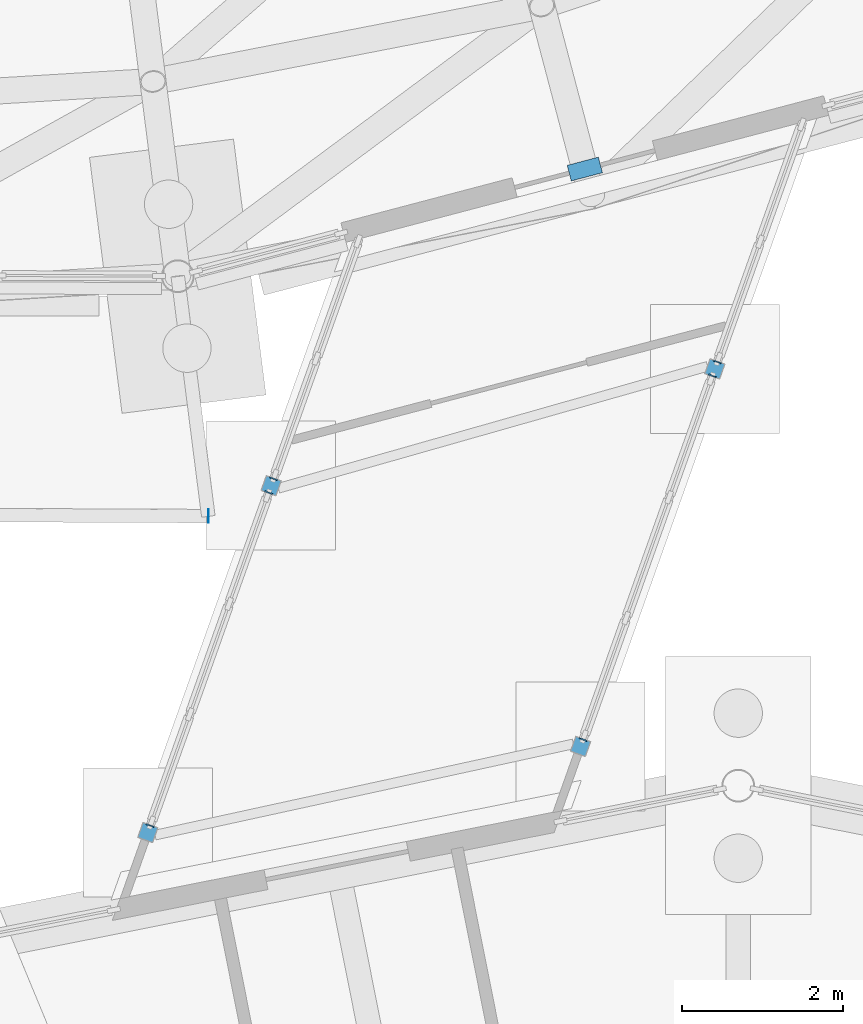
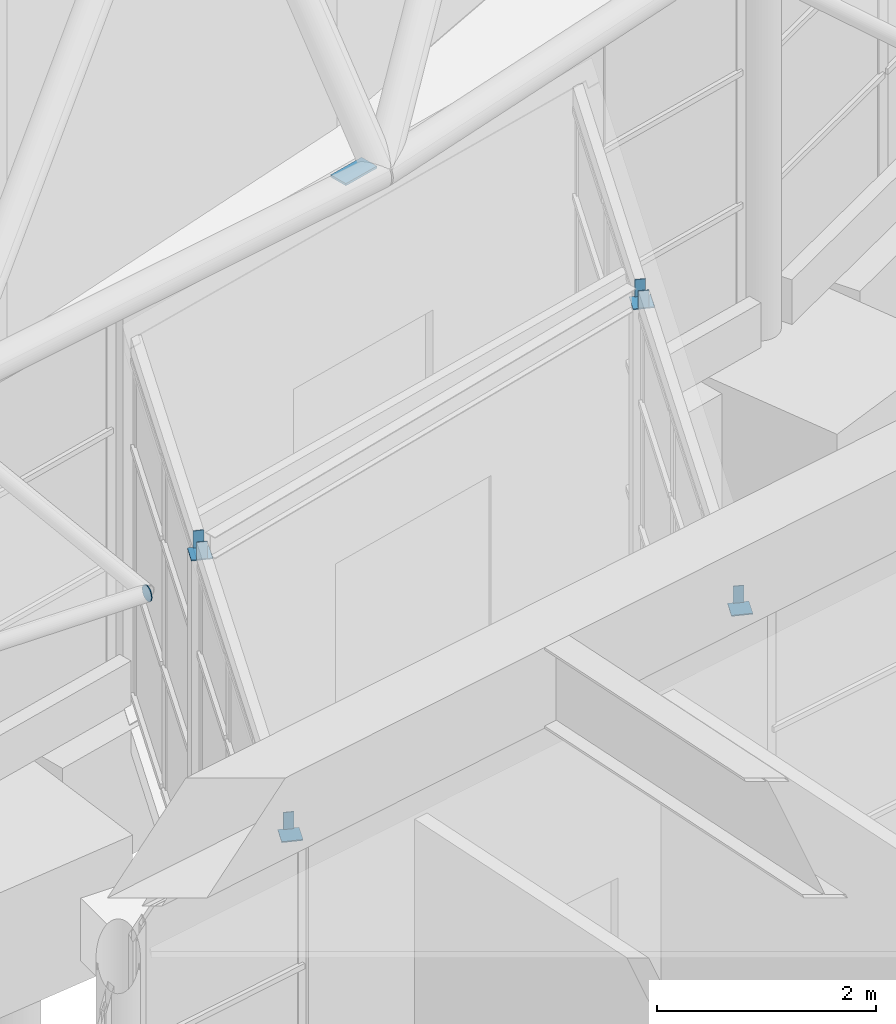
# One storey, part 209 of 226: 12 discrete accessories.
"""IFC4 building model written with IfcOpenShell, lengths in metres."""

from ifc_helpers import new_model, si_unit, direction, frame, origin, origin_2d, place, context, subcontext, project, spatial, rectangle, circle, extrude, material, layer, layer_set, material_profile, profile_set, type_object, element, save


model = new_model("IFC4")

# Units and contexts
model_context = context("Model", 3, precision=1e-05, world=origin(), true_north=direction((0.0, 1.0)))
body_context = subcontext(model_context, "Body", "Model", "MODEL_VIEW")
ifc_project = project(units=[si_unit("LENGTHUNIT", "METRE"), si_unit("AREAUNIT", "SQUARE_METRE"), si_unit("VOLUMEUNIT", "CUBIC_METRE"), si_unit("PLANEANGLEUNIT", "RADIAN"), si_unit("MASSUNIT", "GRAM", prefix="KILO")], contexts=[model_context])

# Site, building, storey
site_placement = place(None, origin())
site = spatial("IfcSite", under=ifc_project, at=site_placement, CompositionType="ELEMENT")
building_placement = place(site_placement, origin())
building = spatial("IfcBuilding", under=site, at=building_placement, Name="Ceibo Conservatory and Research Tower", CompositionType="ELEMENT")
storey_placement = place(building_placement, origin())
storey = spatial("IfcBuildingStorey", under=building, at=storey_placement, Name="L00", CompositionType="ELEMENT", Elevation=0.0)

# Discrete accessories
ifc_material = material(Name="Steel S355J2", Category="steel")
ifc_layer = layer(ifc_material, 0.02490234375)
ifc_layer_set = layer_set([ifc_layer], Name="Steel S355J2")
discrete_accessory_type_1 = type_object("IfcDiscreteAccessoryType", Name="Cast-in plate PL 400x200x25", PredefinedType="ANCHORPLATE", material=ifc_layer_set)
discrete_accessory_1_placement = place(storey_placement, frame((166.096923828125, 69.649169921875, 4.31298828125), z_axis=(0.0, 0.0, 1.0), x_axis=(0.96704593447, 0.254601965084, 0.0)))
element("IfcDiscreteAccessory", 1, at=discrete_accessory_1_placement, inside=storey, type_object=discrete_accessory_type_1, Name="Cast-in plate A-D01-38 in Drum door stub wall A-W19", PredefinedType="ANCHORPLATE", context=body_context, shape_type="SweptSolid", body=[
    extrude(rectangle(XDim=0.39990234375, YDim=0.199951171875, at=origin_2d()), origin(), (0.0, 0.0, 1.0), 0.02490234375),
])
ifc_material_profile_1 = material_profile(ifc_material, rectangle(XDim=0.10009765625, YDim=0.199951171875, at=origin_2d()), Name="End plate PL 200x100x8")
ifc_profile_set_1 = profile_set([ifc_material_profile_1], Name="Steel S355J2")
discrete_accessory_type_2 = type_object("IfcDiscreteAccessoryType", Name="End plate PL 200x100x8", PredefinedType="USERDEFINED", material=ifc_profile_set_1)
for number, where, z_axis, x_axis, name in (
    (2, (167.7421875, 67.261474609375, 3.89990234375), (-0.337864753607, -0.941194670762, 0.0), (0.941194670762, -0.337864753607, 0.0), "Gallery edge beam A-VC-EBN01 end plate"),
    (3, (167.680419921875, 67.088134765625, 3.89990234375), (-0.337864753607, -0.941194670762, 0.0), (0.941194670762, -0.337864753607, 0.0), "Gallery edge beam A-VC-EBN02 end plate"),
):
    element("IfcDiscreteAccessory", number, at=place(storey_placement, frame(where, z_axis=z_axis, x_axis=x_axis)), inside=storey, type_object=discrete_accessory_type_2, Name=name, ObjectType="End plate", PredefinedType="USERDEFINED", context=body_context, shape_type="SweptSolid", body=[
        extrude(rectangle(XDim=0.10009765625, YDim=0.199951171875, at=origin_2d()), origin(), (0.0, 0.0, 1.0), 0.010009765625),
    ])
discrete_accessory_2_placement = place(storey_placement, frame((166.07666015625, 62.577880859375, 3.89990234375), z_axis=(-0.345705358827, -0.938343116817, 0.0), x_axis=(0.938343116817, -0.345705358827, 0.0)))
element("IfcDiscreteAccessory", 4, at=discrete_accessory_2_placement, inside=storey, type_object=discrete_accessory_type_2, Name="Gallery edge beam A-VC-EBN02 end plate", ObjectType="End plate", PredefinedType="USERDEFINED", context=body_context, shape_type="SweptSolid", body=[
    extrude(rectangle(XDim=0.10009765625, YDim=0.199951171875, at=origin_2d()), origin(), (0.0, 0.0, 1.0), 0.009765625),
])
for number, where, z_axis, x_axis, name in (
    (5, (162.238525390625, 65.8125, 3.89990234375), (-0.337864753607, -0.941194670762, 0.0), (0.941194670762, -0.337864753607, 0.0), "Gallery edge beam A-VC-EBS01 end plate"),
    (6, (162.177001953125, 65.63916015625, 3.89990234375), (-0.337864753607, -0.941194670762, 0.0), (0.941194670762, -0.337864753607, 0.0), "Gallery edge beam A-VC-EBS02 end plate"),
    (7, (160.708740234375, 61.51025390625, 3.89990234375), (-0.337864753607, -0.941194670762, 0.0), (0.941194670762, -0.337864753607, 0.0), "Gallery edge beam A-VC-EBS02 end plate"),
):
    element("IfcDiscreteAccessory", number, at=place(storey_placement, frame(where, z_axis=z_axis, x_axis=x_axis)), inside=storey, type_object=discrete_accessory_type_2, Name=name, ObjectType="End plate", PredefinedType="USERDEFINED", context=body_context, shape_type="SweptSolid", body=[
        extrude(rectangle(XDim=0.10009765625, YDim=0.199951171875, at=origin_2d()), origin(), (0.0, 0.0, 1.0), 0.010009765625),
    ])
ifc_material_profile_2 = material_profile(ifc_material, rectangle(XDim=0.199951171875, YDim=0.199951171875, at=origin_2d()), Name="End plate PL 200x200x10")
ifc_profile_set_2 = profile_set([ifc_material_profile_2], Name="Steel S355J2")
discrete_accessory_type_3 = type_object("IfcDiscreteAccessoryType", Name="End plate PL 200x200x10", PredefinedType="USERDEFINED", material=ifc_profile_set_2)
for number, where, z_axis, x_axis, name in (
    (8, (167.70947265625, 67.170166015625, 3.798095703125), (0.0, 0.0, 1.0), (-0.335040023954, -0.942203896378, 0.0), "Gallery column A-VC-CN01 end plate"),
    (9, (166.044189453125, 62.486572265625, 3.798095703125), (0.0, 0.0, 1.0), (-0.335040023954, -0.942203896378, 0.0), "Gallery column A-VC-CN02 end plate"),
    (10, (162.2060546875, 65.72119140625, 3.798095703125), (0.0, 0.0, 1.0), (-0.335040023954, -0.942203896378, 0.0), "Gallery column A-VC-CS01 end plate"),
    (11, (160.67626953125, 61.418701171875, 3.798095703125), (0.0, 0.0, 1.0), (-0.335040023954, -0.942203896378, 0.0), "Gallery column A-VC-CS02 end plate"),
):
    element("IfcDiscreteAccessory", number, at=place(storey_placement, frame(where, z_axis=z_axis, x_axis=x_axis)), inside=storey, type_object=discrete_accessory_type_3, Name=name, ObjectType="End plate", PredefinedType="USERDEFINED", context=body_context, shape_type="SweptSolid", body=[
        extrude(rectangle(XDim=0.199951171875, YDim=0.199951171875, at=origin_2d()), origin(), (0.0, 0.0, 1.0), 0.011962890625),
    ])
ifc_material_profile_3 = material_profile(ifc_material, circle(Radius=0.084228515625, at=origin_2d()), Name="End plate PL D168.3x8")
ifc_profile_set_3 = profile_set([ifc_material_profile_3], Name="Steel S355J2")
discrete_accessory_type_4 = type_object("IfcDiscreteAccessoryType", Name="End plate PL D168.3x8", PredefinedType="USERDEFINED", material=ifc_profile_set_3)
discrete_accessory_3_placement = place(storey_placement, frame((161.424560546875, 65.34375, 3.863525390625), z_axis=(1.0, 0.0, 0.0), x_axis=(0.0, 1.0, 0.0)))
element("IfcDiscreteAccessory", 12, at=discrete_accessory_3_placement, inside=storey, type_object=discrete_accessory_type_4, Name="Brim tip ring A-TR21 end plate", ObjectType="End plate", PredefinedType="USERDEFINED", context=body_context, shape_type="SweptSolid", body=[
    extrude(circle(Radius=0.084228515625, at=origin_2d()), origin(), (0.0, 0.0, 1.0), 0.010009765625),
])

save(model, "model.ifc")
